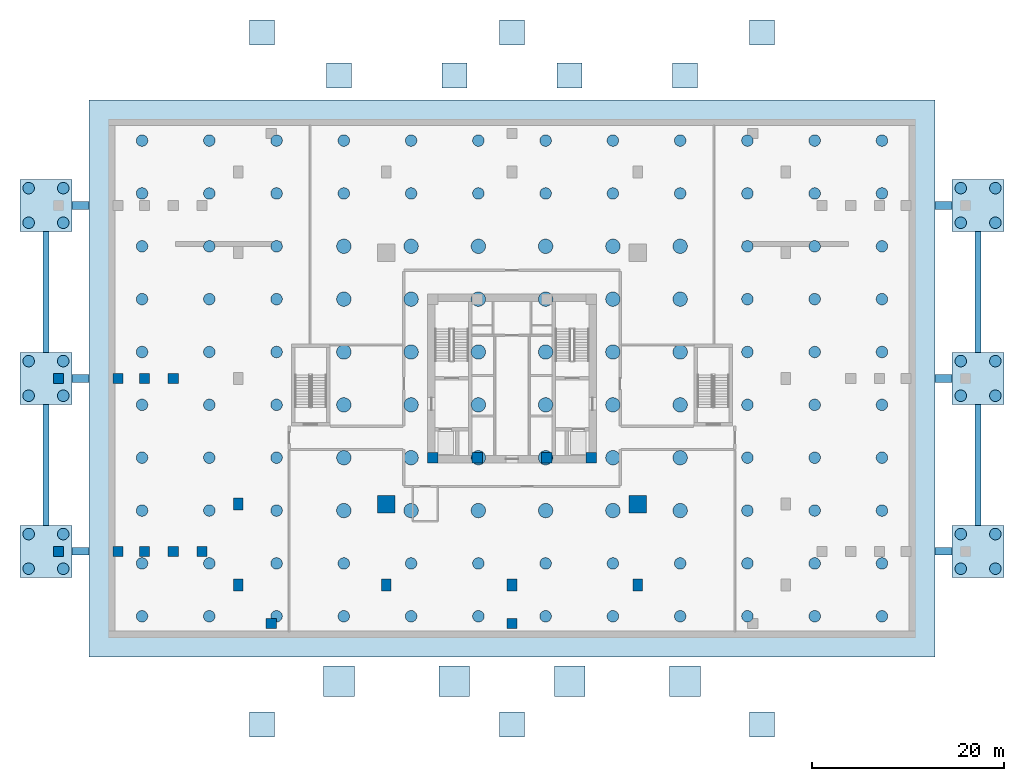
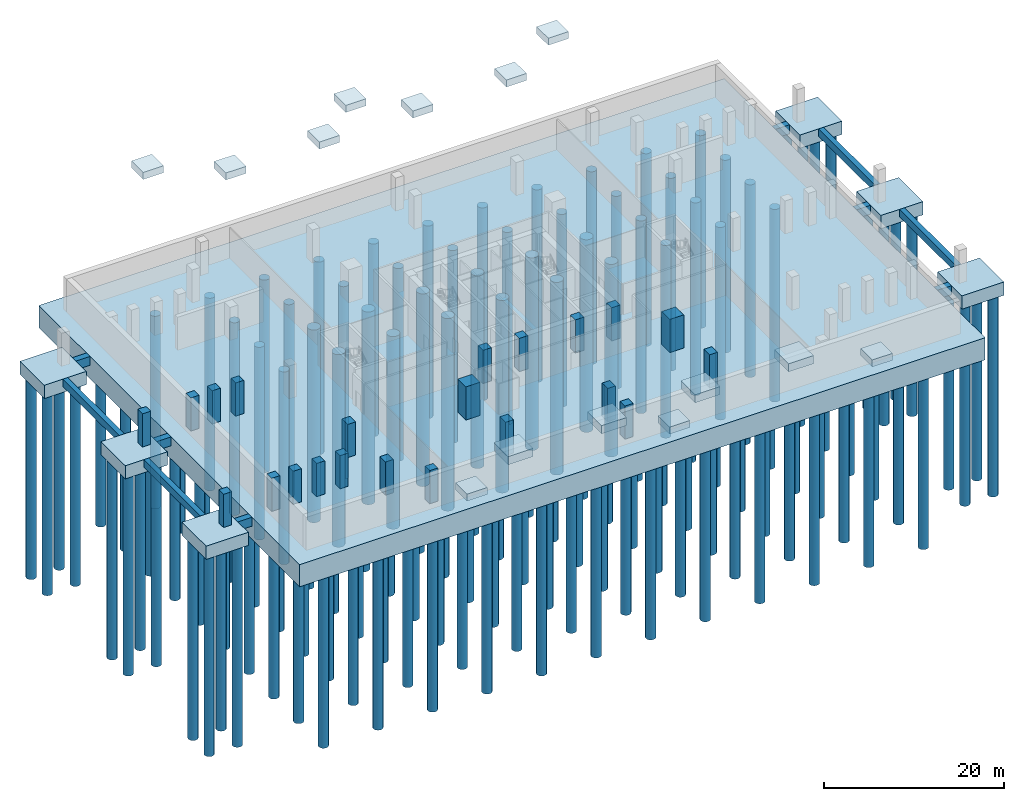
# One storey, part 1 of 8: 144 piles, 31 footings, 22 columns.
"""IFC4 building model written with IfcOpenShell, lengths in metres."""

from ifc_helpers import new_model, si_unit, direction, frame, origin, origin_2d, place, context, subcontext, project, spatial, rectangle, circle, extrude, source, transform, mapped, material, material_profile, profile_set, type_object, element, save


model = new_model("IFC4")

# Units and contexts
model_context = context("Model", 3, precision=1e-05, world=origin(), true_north=direction((0.0, 1.0)))
body_context = subcontext(model_context, "Body", "Model", "MODEL_VIEW")
ifc_project = project(units=[si_unit("LENGTHUNIT", "METRE"), si_unit("AREAUNIT", "SQUARE_METRE"), si_unit("VOLUMEUNIT", "CUBIC_METRE"), si_unit("PLANEANGLEUNIT", "RADIAN"), si_unit("MASSUNIT", "GRAM", prefix="KILO"), si_unit("THERMODYNAMICTEMPERATUREUNIT", "KELVIN")], contexts=[model_context])

# Site, building, storey
site_placement = place(None, origin())
site = spatial("IfcSite", under=ifc_project, at=site_placement, CompositionType="ELEMENT")
building_placement = place(site_placement, origin())
building = spatial("IfcBuilding", under=site, at=building_placement, Name="Kosmvard Interchange Tower", CompositionType="ELEMENT")
storey_placement = place(building_placement, frame((0.0, 0.0, -9.0)))
storey = spatial("IfcBuildingStorey", under=building, at=storey_placement, Name="B02", CompositionType="ELEMENT", Elevation=-9.0)

# Footing
ifc_material_1 = material(Name="Concrete C50/60", Category="concrete")
footing_type_1 = type_object("IfcFootingType", Name="Tower Piled Raft Footing 88000x58000x3000 C50/60", PredefinedType="PILE_CAP", material=ifc_material_1)
shared_shape_1 = source(origin(), body_context, "Body", "SweptSolid", [
    extrude(rectangle(XDim=88.0, YDim=58.0, at=origin_2d()), origin(), (0.0, 0.0, 1.0), 3.0),
])
footing_placement = place(storey_placement, frame((0.0, 0.0, -3.0), z_axis=(0.0, 0.0, 1.0), x_axis=(1.0, 0.0, 0.0)))
element("IfcFooting", 1, at=footing_placement, inside=storey, type_object=footing_type_1, Name="Tower Piled Raft Footing RF-1", PredefinedType="PILE_CAP", context=body_context, shape_type="MappedRepresentation", body=[
    mapped(shared_shape_1, transform((0.0, 0.0, 0.0), scale=1.0)),
])

# Piles
ifc_material_profile_1 = material_profile(ifc_material_1, circle(Radius=0.60009765625, at=origin_2d()), Name="PILE D1200")
ifc_profile_set_1 = profile_set([ifc_material_profile_1], Name="Concrete C50/60")
pile_type_1 = type_object("IfcPileType", Name="Perimeter Bored Pile D1200 C50/60", PredefinedType="BORED", material=ifc_profile_set_1)
shared_shape_2 = source(origin(), body_context, "Body", "SweptSolid", [
    extrude(circle(Radius=0.60009765625, at=origin_2d()), origin(), (0.0, 0.0, 1.0), 26.14990234375),
])
for number, where, z_axis, x_axis, name in (
    (2, (-38.5, -24.75, -2.85009765625), (0.0, 0.0, -1.0), (1.0, 0.0, 0.0), "Bored Foundation Pile 001"),
    (3, (-38.5, -19.25, -2.85009765625), (0.0, 0.0, -1.0), (1.0, 0.0, 0.0), "Bored Foundation Pile 002"),
    (4, (-38.5, -13.75, -2.85009765625), (0.0, 0.0, -1.0), (1.0, 0.0, 0.0), "Bored Foundation Pile 003"),
    (5, (-38.5, -8.25, -2.85009765625), (0.0, 0.0, -1.0), (1.0, 0.0, 0.0), "Bored Foundation Pile 004"),
    (6, (-38.5, -2.75, -2.85009765625), (0.0, 0.0, -1.0), (1.0, 0.0, 0.0), "Bored Foundation Pile 005"),
    (7, (-38.5, 2.75, -2.85009765625), (0.0, 0.0, -1.0), (1.0, 0.0, 0.0), "Bored Foundation Pile 006"),
    (8, (-38.5, 8.25, -2.85009765625), (0.0, 0.0, -1.0), (1.0, 0.0, 0.0), "Bored Foundation Pile 007"),
    (9, (-38.5, 13.75, -2.85009765625), (0.0, 0.0, -1.0), (1.0, 0.0, 0.0), "Bored Foundation Pile 008"),
    (10, (-38.5, 19.25, -2.85009765625), (0.0, 0.0, -1.0), (1.0, 0.0, 0.0), "Bored Foundation Pile 009"),
    (11, (-38.5, 24.75, -2.85009765625), (0.0, 0.0, -1.0), (1.0, 0.0, 0.0), "Bored Foundation Pile 010"),
    (12, (-31.5, -24.75, -2.85009765625), (0.0, 0.0, -1.0), (1.0, 0.0, 0.0), "Bored Foundation Pile 011"),
    (13, (-31.5, -19.25, -2.85009765625), (0.0, 0.0, -1.0), (1.0, 0.0, 0.0), "Bored Foundation Pile 012"),
    (14, (-31.5, -13.75, -2.85009765625), (0.0, 0.0, -1.0), (1.0, 0.0, 0.0), "Bored Foundation Pile 013"),
    (15, (-31.5, -8.25, -2.85009765625), (0.0, 0.0, -1.0), (1.0, 0.0, 0.0), "Bored Foundation Pile 014"),
    (16, (-31.5, -2.75, -2.85009765625), (0.0, 0.0, -1.0), (1.0, 0.0, 0.0), "Bored Foundation Pile 015"),
    (17, (-31.5, 2.75, -2.85009765625), (0.0, 0.0, -1.0), (1.0, 0.0, 0.0), "Bored Foundation Pile 016"),
    (18, (-31.5, 8.25, -2.85009765625), (0.0, 0.0, -1.0), (1.0, 0.0, 0.0), "Bored Foundation Pile 017"),
    (19, (-31.5, 13.75, -2.85009765625), (0.0, 0.0, -1.0), (1.0, 0.0, 0.0), "Bored Foundation Pile 018"),
    (20, (-31.5, 19.25, -2.85009765625), (0.0, 0.0, -1.0), (1.0, 0.0, 0.0), "Bored Foundation Pile 019"),
    (21, (-31.5, 24.75, -2.85009765625), (0.0, 0.0, -1.0), (1.0, 0.0, 0.0), "Bored Foundation Pile 020"),
    (22, (-24.5, -24.75, -2.85009765625), (0.0, 0.0, -1.0), (1.0, 0.0, 0.0), "Bored Foundation Pile 021"),
    (23, (-24.5, -19.25, -2.85009765625), (0.0, 0.0, -1.0), (1.0, 0.0, 0.0), "Bored Foundation Pile 022"),
    (24, (-24.5, -13.75, -2.85009765625), (0.0, 0.0, -1.0), (1.0, 0.0, 0.0), "Bored Foundation Pile 023"),
    (25, (-24.5, -8.25, -2.85009765625), (0.0, 0.0, -1.0), (1.0, 0.0, 0.0), "Bored Foundation Pile 024"),
    (26, (-24.5, -2.75, -2.85009765625), (0.0, 0.0, -1.0), (1.0, 0.0, 0.0), "Bored Foundation Pile 025"),
    (27, (-24.5, 2.75, -2.85009765625), (0.0, 0.0, -1.0), (1.0, 0.0, 0.0), "Bored Foundation Pile 026"),
    (28, (-24.5, 8.25, -2.85009765625), (0.0, 0.0, -1.0), (1.0, 0.0, 0.0), "Bored Foundation Pile 027"),
    (29, (-24.5, 13.75, -2.85009765625), (0.0, 0.0, -1.0), (1.0, 0.0, 0.0), "Bored Foundation Pile 028"),
    (30, (-24.5, 19.25, -2.85009765625), (0.0, 0.0, -1.0), (1.0, 0.0, 0.0), "Bored Foundation Pile 029"),
    (31, (-24.5, 24.75, -2.85009765625), (0.0, 0.0, -1.0), (1.0, 0.0, 0.0), "Bored Foundation Pile 030"),
    (32, (-17.5, -24.75, -2.85009765625), (0.0, 0.0, -1.0), (1.0, 0.0, 0.0), "Bored Foundation Pile 031"),
    (33, (-17.5, -19.25, -2.85009765625), (0.0, 0.0, -1.0), (1.0, 0.0, 0.0), "Bored Foundation Pile 032"),
    (34, (-17.5, 19.25, -2.85009765625), (0.0, 0.0, -1.0), (1.0, 0.0, 0.0), "Bored Foundation Pile 039"),
    (35, (-17.5, 24.75, -2.85009765625), (0.0, 0.0, -1.0), (1.0, 0.0, 0.0), "Bored Foundation Pile 040"),
    (36, (-10.5, -24.75, -2.85009765625), (0.0, 0.0, -1.0), (1.0, 0.0, 0.0), "Bored Foundation Pile 041"),
    (37, (-10.5, -19.25, -2.85009765625), (0.0, 0.0, -1.0), (1.0, 0.0, 0.0), "Bored Foundation Pile 042"),
    (38, (-10.5, 19.25, -2.85009765625), (0.0, 0.0, -1.0), (1.0, 0.0, 0.0), "Bored Foundation Pile 049"),
    (39, (-10.5, 24.75, -2.85009765625), (0.0, 0.0, -1.0), (1.0, 0.0, 0.0), "Bored Foundation Pile 050"),
    (40, (-3.5, -24.75, -2.85009765625), (0.0, 0.0, -1.0), (1.0, 0.0, 0.0), "Bored Foundation Pile 051"),
    (41, (-3.5, -19.25, -2.85009765625), (0.0, 0.0, -1.0), (1.0, 0.0, 0.0), "Bored Foundation Pile 052"),
    (42, (-3.5, 19.25, -2.85009765625), (0.0, 0.0, -1.0), (1.0, 0.0, 0.0), "Bored Foundation Pile 059"),
    (43, (-3.5, 24.75, -2.85009765625), (0.0, 0.0, -1.0), (1.0, 0.0, 0.0), "Bored Foundation Pile 060"),
    (44, (3.5, -24.75, -2.85009765625), (0.0, 0.0, -1.0), (1.0, 0.0, 0.0), "Bored Foundation Pile 061"),
    (45, (3.5, -19.25, -2.85009765625), (0.0, 0.0, -1.0), (1.0, 0.0, 0.0), "Bored Foundation Pile 062"),
    (46, (3.5, 19.25, -2.85009765625), (0.0, 0.0, -1.0), (1.0, 0.0, 0.0), "Bored Foundation Pile 069"),
    (47, (3.5, 24.75, -2.85009765625), (0.0, 0.0, -1.0), (1.0, 0.0, 0.0), "Bored Foundation Pile 070"),
    (48, (10.5, -24.75, -2.85009765625), (0.0, 0.0, -1.0), (1.0, 0.0, 0.0), "Bored Foundation Pile 071"),
    (49, (10.5, -19.25, -2.85009765625), (0.0, 0.0, -1.0), (1.0, 0.0, 0.0), "Bored Foundation Pile 072"),
    (50, (10.5, 19.25, -2.85009765625), (0.0, 0.0, -1.0), (1.0, 0.0, 0.0), "Bored Foundation Pile 079"),
    (51, (10.5, 24.75, -2.85009765625), (0.0, 0.0, -1.0), (1.0, 0.0, 0.0), "Bored Foundation Pile 080"),
    (52, (17.5, -24.75, -2.85009765625), (0.0, 0.0, -1.0), (1.0, 0.0, 0.0), "Bored Foundation Pile 081"),
    (53, (17.5, -19.25, -2.85009765625), (0.0, 0.0, -1.0), (1.0, 0.0, 0.0), "Bored Foundation Pile 082"),
    (54, (17.5, 19.25, -2.85009765625), (0.0, 0.0, -1.0), (1.0, 0.0, 0.0), "Bored Foundation Pile 089"),
    (55, (17.5, 24.75, -2.85009765625), (0.0, 0.0, -1.0), (1.0, 0.0, 0.0), "Bored Foundation Pile 090"),
    (56, (24.5, -24.75, -2.85009765625), (0.0, 0.0, -1.0), (1.0, 0.0, 0.0), "Bored Foundation Pile 091"),
    (57, (24.5, -19.25, -2.85009765625), (0.0, 0.0, -1.0), (1.0, 0.0, 0.0), "Bored Foundation Pile 092"),
    (58, (24.5, -13.75, -2.85009765625), (0.0, 0.0, -1.0), (1.0, 0.0, 0.0), "Bored Foundation Pile 093"),
    (59, (24.5, -8.25, -2.85009765625), (0.0, 0.0, -1.0), (1.0, 0.0, 0.0), "Bored Foundation Pile 094"),
    (60, (24.5, -2.75, -2.85009765625), (0.0, 0.0, -1.0), (1.0, 0.0, 0.0), "Bored Foundation Pile 095"),
    (61, (24.5, 2.75, -2.85009765625), (0.0, 0.0, -1.0), (1.0, 0.0, 0.0), "Bored Foundation Pile 096"),
    (62, (24.5, 8.25, -2.85009765625), (0.0, 0.0, -1.0), (1.0, 0.0, 0.0), "Bored Foundation Pile 097"),
    (63, (24.5, 13.75, -2.85009765625), (0.0, 0.0, -1.0), (1.0, 0.0, 0.0), "Bored Foundation Pile 098"),
    (64, (24.5, 19.25, -2.85009765625), (0.0, 0.0, -1.0), (1.0, 0.0, 0.0), "Bored Foundation Pile 099"),
    (65, (24.5, 24.75, -2.85009765625), (0.0, 0.0, -1.0), (1.0, 0.0, 0.0), "Bored Foundation Pile 100"),
    (66, (31.5, -24.75, -2.85009765625), (0.0, 0.0, -1.0), (1.0, 0.0, 0.0), "Bored Foundation Pile 101"),
    (67, (31.5, -19.25, -2.85009765625), (0.0, 0.0, -1.0), (1.0, 0.0, 0.0), "Bored Foundation Pile 102"),
    (68, (31.5, -13.75, -2.85009765625), (0.0, 0.0, -1.0), (1.0, 0.0, 0.0), "Bored Foundation Pile 103"),
    (69, (31.5, -8.25, -2.85009765625), (0.0, 0.0, -1.0), (1.0, 0.0, 0.0), "Bored Foundation Pile 104"),
    (70, (31.5, -2.75, -2.85009765625), (0.0, 0.0, -1.0), (1.0, 0.0, 0.0), "Bored Foundation Pile 105"),
    (71, (31.5, 2.75, -2.85009765625), (0.0, 0.0, -1.0), (1.0, 0.0, 0.0), "Bored Foundation Pile 106"),
    (72, (31.5, 8.25, -2.85009765625), (0.0, 0.0, -1.0), (1.0, 0.0, 0.0), "Bored Foundation Pile 107"),
    (73, (31.5, 13.75, -2.85009765625), (0.0, 0.0, -1.0), (1.0, 0.0, 0.0), "Bored Foundation Pile 108"),
    (74, (31.5, 19.25, -2.85009765625), (0.0, 0.0, -1.0), (1.0, 0.0, 0.0), "Bored Foundation Pile 109"),
    (75, (31.5, 24.75, -2.85009765625), (0.0, 0.0, -1.0), (1.0, 0.0, 0.0), "Bored Foundation Pile 110"),
    (76, (38.5, -24.75, -2.85009765625), (0.0, 0.0, -1.0), (1.0, 0.0, 0.0), "Bored Foundation Pile 111"),
    (77, (38.5, -19.25, -2.85009765625), (0.0, 0.0, -1.0), (1.0, 0.0, 0.0), "Bored Foundation Pile 112"),
    (78, (38.5, -13.75, -2.85009765625), (0.0, 0.0, -1.0), (1.0, 0.0, 0.0), "Bored Foundation Pile 113"),
    (79, (38.5, -8.25, -2.85009765625), (0.0, 0.0, -1.0), (1.0, 0.0, 0.0), "Bored Foundation Pile 114"),
    (80, (38.5, -2.75, -2.85009765625), (0.0, 0.0, -1.0), (1.0, 0.0, 0.0), "Bored Foundation Pile 115"),
    (81, (38.5, 2.75, -2.85009765625), (0.0, 0.0, -1.0), (1.0, 0.0, 0.0), "Bored Foundation Pile 116"),
    (82, (38.5, 8.25, -2.85009765625), (0.0, 0.0, -1.0), (1.0, 0.0, 0.0), "Bored Foundation Pile 117"),
    (83, (38.5, 13.75, -2.85009765625), (0.0, 0.0, -1.0), (1.0, 0.0, 0.0), "Bored Foundation Pile 118"),
    (84, (38.5, 19.25, -2.85009765625), (0.0, 0.0, -1.0), (1.0, 0.0, 0.0), "Bored Foundation Pile 119"),
    (85, (38.5, 24.75, -2.85009765625), (0.0, 0.0, -1.0), (1.0, 0.0, 0.0), "Bored Foundation Pile 120"),
):
    element("IfcPile", number, at=place(storey_placement, frame(where, z_axis=z_axis, x_axis=x_axis)), inside=storey, type_object=pile_type_1, Name=name, PredefinedType="BORED", context=body_context, shape_type="MappedRepresentation", body=[
        mapped(shared_shape_2, transform((0.0, 0.0, 0.0), scale=1.0)),
    ])
ifc_material_profile_2 = material_profile(ifc_material_1, circle(Radius=0.75, at=origin_2d()), Name="PILE D1500")
ifc_profile_set_2 = profile_set([ifc_material_profile_2], Name="Concrete C50/60")
pile_type_2 = type_object("IfcPileType", Name="Primary Core Bored Pile D1500 C50/60", PredefinedType="BORED", material=ifc_profile_set_2)
shared_shape_3 = source(origin(), body_context, "Body", "SweptSolid", [
    extrude(circle(Radius=0.75, at=origin_2d()), origin(), (0.0, 0.0, 1.0), 26.14990234375),
])
for number, where, z_axis, x_axis, name in (
    (86, (-17.5, -13.75, -2.85009765625), (0.0, 0.0, -1.0), (1.0, 0.0, 0.0), "Bored Foundation Pile 033"),
    (87, (-17.5, -8.25, -2.85009765625), (0.0, 0.0, -1.0), (1.0, 0.0, 0.0), "Bored Foundation Pile 034"),
    (88, (-17.5, -2.75, -2.85009765625), (0.0, 0.0, -1.0), (1.0, 0.0, 0.0), "Bored Foundation Pile 035"),
    (89, (-17.5, 2.75, -2.85009765625), (0.0, 0.0, -1.0), (1.0, 0.0, 0.0), "Bored Foundation Pile 036"),
    (90, (-17.5, 8.25, -2.85009765625), (0.0, 0.0, -1.0), (1.0, 0.0, 0.0), "Bored Foundation Pile 037"),
    (91, (-17.5, 13.75, -2.85009765625), (0.0, 0.0, -1.0), (1.0, 0.0, 0.0), "Bored Foundation Pile 038"),
    (92, (-10.5, -13.75, -2.85009765625), (0.0, 0.0, -1.0), (1.0, 0.0, 0.0), "Bored Foundation Pile 043"),
    (93, (-10.5, -8.25, -2.85009765625), (0.0, 0.0, -1.0), (1.0, 0.0, 0.0), "Bored Foundation Pile 044"),
    (94, (-10.5, -2.75, -2.85009765625), (0.0, 0.0, -1.0), (1.0, 0.0, 0.0), "Bored Foundation Pile 045"),
    (95, (-10.5, 2.75, -2.85009765625), (0.0, 0.0, -1.0), (1.0, 0.0, 0.0), "Bored Foundation Pile 046"),
    (96, (-10.5, 8.25, -2.85009765625), (0.0, 0.0, -1.0), (1.0, 0.0, 0.0), "Bored Foundation Pile 047"),
    (97, (-10.5, 13.75, -2.85009765625), (0.0, 0.0, -1.0), (1.0, 0.0, 0.0), "Bored Foundation Pile 048"),
    (98, (-3.5, -13.75, -2.85009765625), (0.0, 0.0, -1.0), (1.0, 0.0, 0.0), "Bored Foundation Pile 053"),
    (99, (-3.5, -8.25, -2.85009765625), (0.0, 0.0, -1.0), (1.0, 0.0, 0.0), "Bored Foundation Pile 054"),
    (100, (-3.5, -2.75, -2.85009765625), (0.0, 0.0, -1.0), (1.0, 0.0, 0.0), "Bored Foundation Pile 055"),
    (101, (-3.5, 2.75, -2.85009765625), (0.0, 0.0, -1.0), (1.0, 0.0, 0.0), "Bored Foundation Pile 056"),
    (102, (-3.5, 8.25, -2.85009765625), (0.0, 0.0, -1.0), (1.0, 0.0, 0.0), "Bored Foundation Pile 057"),
    (103, (-3.5, 13.75, -2.85009765625), (0.0, 0.0, -1.0), (1.0, 0.0, 0.0), "Bored Foundation Pile 058"),
    (104, (3.5, -13.75, -2.85009765625), (0.0, 0.0, -1.0), (1.0, 0.0, 0.0), "Bored Foundation Pile 063"),
    (105, (3.5, -8.25, -2.85009765625), (0.0, 0.0, -1.0), (1.0, 0.0, 0.0), "Bored Foundation Pile 064"),
    (106, (3.5, -2.75, -2.85009765625), (0.0, 0.0, -1.0), (1.0, 0.0, 0.0), "Bored Foundation Pile 065"),
    (107, (3.5, 2.75, -2.85009765625), (0.0, 0.0, -1.0), (1.0, 0.0, 0.0), "Bored Foundation Pile 066"),
    (108, (3.5, 8.25, -2.85009765625), (0.0, 0.0, -1.0), (1.0, 0.0, 0.0), "Bored Foundation Pile 067"),
    (109, (3.5, 13.75, -2.85009765625), (0.0, 0.0, -1.0), (1.0, 0.0, 0.0), "Bored Foundation Pile 068"),
    (110, (10.5, -13.75, -2.85009765625), (0.0, 0.0, -1.0), (1.0, 0.0, 0.0), "Bored Foundation Pile 073"),
    (111, (10.5, -8.25, -2.85009765625), (0.0, 0.0, -1.0), (1.0, 0.0, 0.0), "Bored Foundation Pile 074"),
    (112, (10.5, -2.75, -2.85009765625), (0.0, 0.0, -1.0), (1.0, 0.0, 0.0), "Bored Foundation Pile 075"),
    (113, (10.5, 2.75, -2.85009765625), (0.0, 0.0, -1.0), (1.0, 0.0, 0.0), "Bored Foundation Pile 076"),
    (114, (10.5, 8.25, -2.85009765625), (0.0, 0.0, -1.0), (1.0, 0.0, 0.0), "Bored Foundation Pile 077"),
    (115, (10.5, 13.75, -2.85009765625), (0.0, 0.0, -1.0), (1.0, 0.0, 0.0), "Bored Foundation Pile 078"),
    (116, (17.5, -13.75, -2.85009765625), (0.0, 0.0, -1.0), (1.0, 0.0, 0.0), "Bored Foundation Pile 083"),
    (117, (17.5, -8.25, -2.85009765625), (0.0, 0.0, -1.0), (1.0, 0.0, 0.0), "Bored Foundation Pile 084"),
    (118, (17.5, -2.75, -2.85009765625), (0.0, 0.0, -1.0), (1.0, 0.0, 0.0), "Bored Foundation Pile 085"),
    (119, (17.5, 2.75, -2.85009765625), (0.0, 0.0, -1.0), (1.0, 0.0, 0.0), "Bored Foundation Pile 086"),
    (120, (17.5, 8.25, -2.85009765625), (0.0, 0.0, -1.0), (1.0, 0.0, 0.0), "Bored Foundation Pile 087"),
    (121, (17.5, 13.75, -2.85009765625), (0.0, 0.0, -1.0), (1.0, 0.0, 0.0), "Bored Foundation Pile 088"),
):
    element("IfcPile", number, at=place(storey_placement, frame(where, z_axis=z_axis, x_axis=x_axis)), inside=storey, type_object=pile_type_2, Name=name, PredefinedType="BORED", context=body_context, shape_type="MappedRepresentation", body=[
        mapped(shared_shape_3, transform((0.0, 0.0, 0.0), scale=1.0)),
    ])

# Footings
footing_type_2 = type_object("IfcFootingType", Name="Plaza Perimeter Pile Cap 5400x5400x1800 C50/60", PredefinedType="PILE_CAP", material=ifc_material_1)
shared_shape_4 = source(origin(), body_context, "Body", "SweptSolid", [
    extrude(rectangle(XDim=5.39990234375, YDim=5.39990234375, at=origin_2d()), origin(), (0.0, 0.0, 1.0), 1.800048828125),
])
for number, where, z_axis, x_axis, name in (
    (122, (-48.5, -18.0, -1.7998046875), (0.0, 0.0, 1.0), (1.0, 0.0, 0.0), "Perimeter Pile Cap PCAP-W1"),
    (123, (-48.5, 0.0, -1.7998046875), (0.0, 0.0, 1.0), (1.0, 0.0, 0.0), "Perimeter Pile Cap PCAP-W2"),
    (124, (-48.5, 18.0, -1.7998046875), (0.0, 0.0, 1.0), (1.0, 0.0, 0.0), "Perimeter Pile Cap PCAP-W3"),
    (125, (48.5, -18.0, -1.7998046875), (0.0, 0.0, 1.0), (1.0, 0.0, 0.0), "Perimeter Pile Cap PCAP-E1"),
    (126, (48.5, 0.0, -1.7998046875), (0.0, 0.0, 1.0), (1.0, 0.0, 0.0), "Perimeter Pile Cap PCAP-E2"),
    (127, (48.5, 18.0, -1.7998046875), (0.0, 0.0, 1.0), (1.0, 0.0, 0.0), "Perimeter Pile Cap PCAP-E3"),
):
    element("IfcFooting", number, at=place(storey_placement, frame(where, z_axis=z_axis, x_axis=x_axis)), inside=storey, type_object=footing_type_2, Name=name, PredefinedType="PILE_CAP", context=body_context, shape_type="MappedRepresentation", body=[
        mapped(shared_shape_4, transform((0.0, 0.0, 0.0), scale=1.0)),
    ])

# Piles
shared_shape_5 = source(origin(), body_context, "Body", "SweptSolid", [
    extrude(circle(Radius=0.60009765625, at=origin_2d()), origin(), (0.0, 0.0, 1.0), 27.35009765625),
])
for number, where, z_axis, x_axis, name in (
    (128, (-50.300048828125, -19.800048828125, -1.64990234375), (0.0, 0.0, -1.0), (1.0, 0.0, 0.0), "Bored Foundation Pile 121"),
    (129, (-50.300048828125, -16.199951171875, -1.64990234375), (0.0, 0.0, -1.0), (1.0, 0.0, 0.0), "Bored Foundation Pile 122"),
    (130, (-46.699951171875, -19.800048828125, -1.64990234375), (0.0, 0.0, -1.0), (1.0, 0.0, 0.0), "Bored Foundation Pile 123"),
    (131, (-46.699951171875, -16.199951171875, -1.64990234375), (0.0, 0.0, -1.0), (1.0, 0.0, 0.0), "Bored Foundation Pile 124"),
    (132, (-50.300048828125, -1.800048828125, -1.64990234375), (0.0, 0.0, -1.0), (1.0, 0.0, 0.0), "Bored Foundation Pile 125"),
    (133, (-50.300048828125, 1.800048828125, -1.64990234375), (0.0, 0.0, -1.0), (1.0, 0.0, 0.0), "Bored Foundation Pile 126"),
    (134, (-46.699951171875, -1.800048828125, -1.64990234375), (0.0, 0.0, -1.0), (1.0, 0.0, 0.0), "Bored Foundation Pile 127"),
    (135, (-46.699951171875, 1.800048828125, -1.64990234375), (0.0, 0.0, -1.0), (1.0, 0.0, 0.0), "Bored Foundation Pile 128"),
    (136, (-50.300048828125, 16.199951171875, -1.64990234375), (0.0, 0.0, -1.0), (1.0, 0.0, 0.0), "Bored Foundation Pile 129"),
    (137, (-50.300048828125, 19.800048828125, -1.64990234375), (0.0, 0.0, -1.0), (1.0, 0.0, 0.0), "Bored Foundation Pile 130"),
    (138, (-46.699951171875, 16.199951171875, -1.64990234375), (0.0, 0.0, -1.0), (1.0, 0.0, 0.0), "Bored Foundation Pile 131"),
    (139, (-46.699951171875, 19.800048828125, -1.64990234375), (0.0, 0.0, -1.0), (1.0, 0.0, 0.0), "Bored Foundation Pile 132"),
    (140, (46.699951171875, -19.800048828125, -1.64990234375), (0.0, 0.0, -1.0), (1.0, 0.0, 0.0), "Bored Foundation Pile 133"),
    (141, (46.699951171875, -16.199951171875, -1.64990234375), (0.0, 0.0, -1.0), (1.0, 0.0, 0.0), "Bored Foundation Pile 134"),
    (142, (50.300048828125, -19.800048828125, -1.64990234375), (0.0, 0.0, -1.0), (1.0, 0.0, 0.0), "Bored Foundation Pile 135"),
    (143, (50.300048828125, -16.199951171875, -1.64990234375), (0.0, 0.0, -1.0), (1.0, 0.0, 0.0), "Bored Foundation Pile 136"),
    (144, (46.699951171875, -1.800048828125, -1.64990234375), (0.0, 0.0, -1.0), (1.0, 0.0, 0.0), "Bored Foundation Pile 137"),
    (145, (46.699951171875, 1.800048828125, -1.64990234375), (0.0, 0.0, -1.0), (1.0, 0.0, 0.0), "Bored Foundation Pile 138"),
    (146, (50.300048828125, -1.800048828125, -1.64990234375), (0.0, 0.0, -1.0), (1.0, 0.0, 0.0), "Bored Foundation Pile 139"),
    (147, (50.300048828125, 1.800048828125, -1.64990234375), (0.0, 0.0, -1.0), (1.0, 0.0, 0.0), "Bored Foundation Pile 140"),
    (148, (46.699951171875, 16.199951171875, -1.64990234375), (0.0, 0.0, -1.0), (1.0, 0.0, 0.0), "Bored Foundation Pile 141"),
    (149, (46.699951171875, 19.800048828125, -1.64990234375), (0.0, 0.0, -1.0), (1.0, 0.0, 0.0), "Bored Foundation Pile 142"),
    (150, (50.300048828125, 16.199951171875, -1.64990234375), (0.0, 0.0, -1.0), (1.0, 0.0, 0.0), "Bored Foundation Pile 143"),
    (151, (50.300048828125, 19.800048828125, -1.64990234375), (0.0, 0.0, -1.0), (1.0, 0.0, 0.0), "Bored Foundation Pile 144"),
):
    element("IfcPile", number, at=place(storey_placement, frame(where, z_axis=z_axis, x_axis=x_axis)), inside=storey, type_object=pile_type_1, Name=name, PredefinedType="BORED", context=body_context, shape_type="MappedRepresentation", body=[
        mapped(shared_shape_5, transform((0.0, 0.0, 0.0), scale=1.0)),
    ])

# Footings
ifc_material_2 = material(Name="Concrete C40/50", Category="concrete")
footing_type_3 = type_object("IfcFootingType", Name="Canopy Pad Footing 3200x3200x1100 C40/50", PredefinedType="PAD_FOOTING", material=ifc_material_2)
shared_shape_6 = source(origin(), body_context, "Body", "SweptSolid", [
    extrude(rectangle(XDim=3.199951171875, YDim=3.199951171875, at=origin_2d()), origin(), (0.0, 0.0, 1.0), 1.10009765625),
])
for number, where, z_axis, x_axis, name in (
    (152, (-18.0, -31.5, 7.5), (0.0, 0.0, 1.0), (1.0, 0.0, 0.0), "Foundation Pad Footing PF-S1"),
    (153, (-6.0, -31.5, 7.5), (0.0, 0.0, 1.0), (1.0, 0.0, 0.0), "Foundation Pad Footing PF-S2"),
    (154, (6.0, -31.5, 7.5), (0.0, 0.0, 1.0), (1.0, 0.0, 0.0), "Foundation Pad Footing PF-S3"),
    (155, (18.0, -31.5, 7.5), (0.0, 0.0, 1.0), (1.0, 0.0, 0.0), "Foundation Pad Footing PF-S4"),
):
    element("IfcFooting", number, at=place(storey_placement, frame(where, z_axis=z_axis, x_axis=x_axis)), inside=storey, type_object=footing_type_3, Name=name, PredefinedType="PAD_FOOTING", context=body_context, shape_type="MappedRepresentation", body=[
        mapped(shared_shape_6, transform((0.0, 0.0, 0.0), scale=1.0)),
    ])
footing_type_4 = type_object("IfcFootingType", Name="Drop-Off Pad Footing 2600x2600x950 C40/50", PredefinedType="PAD_FOOTING", material=ifc_material_2)
shared_shape_7 = source(origin(), body_context, "Body", "SweptSolid", [
    extrude(rectangle(XDim=2.60009765625, YDim=2.60009765625, at=origin_2d()), origin(), (0.0, 0.0, 1.0), 0.949951171875),
])
for number, where, z_axis, x_axis, name in (
    (156, (-18.0, 31.5, 7.64990234375), (0.0, 0.0, 1.0), (1.0, 0.0, 0.0), "Foundation Pad Footing PF-N1"),
    (157, (-6.0, 31.5, 7.64990234375), (0.0, 0.0, 1.0), (1.0, 0.0, 0.0), "Foundation Pad Footing PF-N2"),
    (158, (6.0, 31.5, 7.64990234375), (0.0, 0.0, 1.0), (1.0, 0.0, 0.0), "Foundation Pad Footing PF-N3"),
    (159, (18.0, 31.5, 7.64990234375), (0.0, 0.0, 1.0), (1.0, 0.0, 0.0), "Foundation Pad Footing PF-N4"),
    (160, (-26.0, -36.0, 7.7998046875), (0.0, 0.0, 1.0), (1.0, 0.0, 0.0), "Foundation Pad Footing PF-RS1"),
    (161, (0.0, -36.0, 7.7998046875), (0.0, 0.0, 1.0), (1.0, 0.0, 0.0), "Foundation Pad Footing PF-RS2"),
    (162, (26.0, -36.0, 7.7998046875), (0.0, 0.0, 1.0), (1.0, 0.0, 0.0), "Foundation Pad Footing PF-RS3"),
    (163, (-26.0, 36.0, 7.7998046875), (0.0, 0.0, 1.0), (1.0, 0.0, 0.0), "Foundation Pad Footing PF-RN1"),
    (164, (0.0, 36.0, 7.7998046875), (0.0, 0.0, 1.0), (1.0, 0.0, 0.0), "Foundation Pad Footing PF-RN2"),
    (165, (26.0, 36.0, 7.7998046875), (0.0, 0.0, 1.0), (1.0, 0.0, 0.0), "Foundation Pad Footing PF-RN3"),
):
    element("IfcFooting", number, at=place(storey_placement, frame(where, z_axis=z_axis, x_axis=x_axis)), inside=storey, type_object=footing_type_4, Name=name, PredefinedType="PAD_FOOTING", context=body_context, shape_type="MappedRepresentation", body=[
        mapped(shared_shape_7, transform((0.0, 0.0, 0.0), scale=1.0)),
    ])
ifc_material_profile_3 = material_profile(ifc_material_1, rectangle(XDim=0.800048828125, YDim=1.199951171875, at=origin_2d()), Name="GB 800x1200")
ifc_profile_set_3 = profile_set([ifc_material_profile_3], Name="Concrete C50/60")
footing_type_5 = type_object("IfcFootingType", Name="Foundation Tie Grade Beam 800x1200 C50/60", PredefinedType="FOOTING_BEAM", material=ifc_profile_set_3)
shared_shape_8 = source(origin(), body_context, "Body", "SweptSolid", [
    extrude(rectangle(XDim=1.800048828125, YDim=0.800048828125, at=origin_2d()), origin(), (0.0, 0.0, 1.0), 1.199951171875),
])
for number, where, z_axis, x_axis, name in (
    (166, (-44.89990234375, -18.0, -1.2001953125), (0.0, 0.0, 1.0), (1.0, 0.0, 0.0), "Tie Grade Beam GB-W1"),
    (167, (-44.89990234375, 0.0, -1.2001953125), (0.0, 0.0, 1.0), (1.0, 0.0, 0.0), "Tie Grade Beam GB-W2"),
    (168, (-44.89990234375, 18.0, -1.2001953125), (0.0, 0.0, 1.0), (1.0, 0.0, 0.0), "Tie Grade Beam GB-W3"),
    (169, (44.89990234375, -18.0, -1.2001953125), (0.0, 0.0, 1.0), (1.0, 0.0, 0.0), "Tie Grade Beam GB-E1"),
    (170, (44.89990234375, 0.0, -1.2001953125), (0.0, 0.0, 1.0), (1.0, 0.0, 0.0), "Tie Grade Beam GB-E2"),
    (171, (44.89990234375, 18.0, -1.2001953125), (0.0, 0.0, 1.0), (1.0, 0.0, 0.0), "Tie Grade Beam GB-E3"),
):
    element("IfcFooting", number, at=place(storey_placement, frame(where, z_axis=z_axis, x_axis=x_axis)), inside=storey, type_object=footing_type_5, Name=name, PredefinedType="FOOTING_BEAM", context=body_context, shape_type="MappedRepresentation", body=[
        mapped(shared_shape_8, transform((0.0, 0.0, 0.0), scale=1.0)),
    ])
ifc_material_profile_4 = material_profile(ifc_material_1, rectangle(XDim=0.64990234375, YDim=1.0, at=origin_2d()), Name="GB 650x1000")
ifc_profile_set_4 = profile_set([ifc_material_profile_4], Name="Concrete C50/60")
footing_type_6 = type_object("IfcFootingType", Name="Perimeter Tie Grade Beam 650x1000 C50/60", PredefinedType="FOOTING_BEAM", material=ifc_profile_set_4)
shared_shape_9 = source(origin(), body_context, "Body", "SweptSolid", [
    extrude(rectangle(XDim=0.64990234375, YDim=12.60009765625, at=origin_2d()), origin(), (0.0, 0.0, 1.0), 1.0),
])
for number, where, z_axis, x_axis, name in (
    (172, (-48.5, -9.0, -1.0), (0.0, 0.0, 1.0), (1.0, 0.0, 0.0), "Tie Grade Beam GB-WL1"),
    (173, (-48.5, 9.0, -1.0), (0.0, 0.0, 1.0), (1.0, 0.0, 0.0), "Tie Grade Beam GB-WL2"),
    (174, (48.5, -9.0, -1.0), (0.0, 0.0, 1.0), (1.0, 0.0, 0.0), "Tie Grade Beam GB-EL1"),
    (175, (48.5, 9.0, -1.0), (0.0, 0.0, 1.0), (1.0, 0.0, 0.0), "Tie Grade Beam GB-EL2"),
):
    element("IfcFooting", number, at=place(storey_placement, frame(where, z_axis=z_axis, x_axis=x_axis)), inside=storey, type_object=footing_type_6, Name=name, PredefinedType="FOOTING_BEAM", context=body_context, shape_type="MappedRepresentation", body=[
        mapped(shared_shape_9, transform((0.0, 0.0, 0.0), scale=1.0)),
    ])

# Columns
ifc_material_3 = material(Name="Concrete C60/75", Category="concrete")
ifc_material_profile_5 = material_profile(ifc_material_3, rectangle(XDim=1.050048828125, YDim=1.050048828125, at=origin_2d()), Name="PC 1050x1050")
ifc_profile_set_5 = profile_set([ifc_material_profile_5], Name="Concrete C60/75")
column_type_1 = type_object("IfcColumnType", Name="Podium Perimeter Column 1050x1050 C60/75", PredefinedType="COLUMN", material=ifc_profile_set_5)
shared_shape_10 = source(origin(), body_context, "Body", "SweptSolid", [
    extrude(rectangle(XDim=1.050048828125, YDim=1.050048828125, at=origin_2d()), origin(), (0.0, 0.0, 1.0), 4.5),
])
for number, where, z_axis, x_axis, name in (
    (176, (-47.199951171875, -18.0, 0.0), (0.0, 0.0, 1.0), (1.0, 0.0, 0.0), "B02 Plaza Foundation Pier PC-PW1"),
    (177, (-47.199951171875, 0.0, 0.0), (0.0, 0.0, 1.0), (1.0, 0.0, 0.0), "B02 Plaza Foundation Pier PC-PW2"),
    (178, (-25.050048828125, -25.5, 0.0), (0.0, 0.0, 1.0), (1.0, 0.0, 0.0), "B02 Podium Column PC-TS1"),
    (179, (0.0, -25.5, 0.0), (0.0, 0.0, 1.0), (1.0, 0.0, 0.0), "B02 Podium Column PC-TS2"),
    (180, (-32.25, -18.0, 0.0), (0.0, 0.0, 1.0), (1.0, 0.0, 0.0), "B02 Podium Column PC-TW3"),
    (181, (-35.25, -18.0, 0.0), (0.0, 0.0, 1.0), (1.0, 0.0, 0.0), "B02 Podium Column PC-TW2"),
    (182, (-35.25, 0.0, 0.0), (0.0, 0.0, 1.0), (1.0, 0.0, 0.0), "B02 Podium Column PC-TW5"),
    (183, (-38.25, -18.0, 0.0), (0.0, 0.0, 1.0), (1.0, 0.0, 0.0), "B02 Podium Column PC-TW1"),
    (184, (-38.25, 0.0, 0.0), (0.0, 0.0, 1.0), (1.0, 0.0, 0.0), "B02 Podium Column PC-TW7"),
    (185, (-41.0, -18.0, 0.0), (0.0, 0.0, 1.0), (1.0, 0.0, 0.0), "B02 Podium Column PC-BW1"),
    (186, (-41.0, 0.0, 0.0), (0.0, 0.0, 1.0), (1.0, 0.0, 0.0), "B02 Podium Column PC-BW2"),
):
    element("IfcColumn", number, at=place(storey_placement, frame(where, z_axis=z_axis, x_axis=x_axis)), inside=storey, type_object=column_type_1, Name=name, PredefinedType="COLUMN", context=body_context, shape_type="MappedRepresentation", body=[
        mapped(shared_shape_10, transform((0.0, 0.0, 0.0), scale=1.0)),
    ])
ifc_material_4 = material(Name="Concrete C80/95", Category="concrete")
ifc_material_profile_6 = material_profile(ifc_material_4, rectangle(XDim=1.10009765625, YDim=1.10009765625, at=origin_2d()), Name="CP 1100x1100")
ifc_profile_set_6 = profile_set([ifc_material_profile_6], Name="Concrete C80/95")
column_type_2 = type_object("IfcColumnType", Name="Core Boundary Pilaster 1100x1100 C80/95", PredefinedType="PILASTER", material=ifc_profile_set_6)
shared_shape_11 = source(origin(), body_context, "Body", "SweptSolid", [
    extrude(rectangle(XDim=1.10009765625, YDim=1.10009765625, at=origin_2d()), origin(), (0.0, 0.0, 1.0), 4.5),
])
for number, where, z_axis, x_axis, name in (
    (187, (-8.25, -8.25, 0.0), (0.0, 0.0, 1.0), (1.0, 0.0, 0.0), "B02 Core Pilaster CP1"),
    (188, (8.25, -8.25, 0.0), (0.0, 0.0, 1.0), (1.0, 0.0, 0.0), "B02 Core Pilaster CP2"),
    (189, (-3.60009765625, -8.25, 0.0), (0.0, 0.0, 1.0), (1.0, 0.0, 0.0), "B02 Core Pilaster CP5"),
    (190, (3.60009765625, -8.25, 0.0), (0.0, 0.0, 1.0), (1.0, 0.0, 0.0), "B02 Core Pilaster CP6"),
):
    element("IfcColumn", number, at=place(storey_placement, frame(where, z_axis=z_axis, x_axis=x_axis)), inside=storey, type_object=column_type_2, Name=name, PredefinedType="PILASTER", context=body_context, shape_type="MappedRepresentation", body=[
        mapped(shared_shape_11, transform((0.0, 0.0, 0.0), scale=1.0)),
    ])
ifc_material_profile_7 = material_profile(ifc_material_4, rectangle(XDim=1.800048828125, YDim=1.800048828125, at=origin_2d()), Name="MC 1800x1800")
ifc_profile_set_7 = profile_set([ifc_material_profile_7], Name="Concrete C80/95")
column_type_3 = type_object("IfcColumnType", Name="Composite Mega-Column 1800x1800 C80/95", PredefinedType="COLUMN", material=ifc_profile_set_7)
shared_shape_12 = source(origin(), body_context, "Body", "SweptSolid", [
    extrude(rectangle(XDim=1.800048828125, YDim=1.800048828125, at=origin_2d()), origin(), (0.0, 0.0, 1.0), 4.5),
])
for number, where, z_axis, x_axis, name in (
    (191, (-13.0810546875, -13.0810546875, 0.0), (0.0, 0.0, 1.0), (1.0, 0.0, 0.0), "B02 Corner Mega-Column MC1"),
    (192, (13.0810546875, -13.0810546875, 0.0), (0.0, 0.0, 1.0), (1.0, 0.0, 0.0), "B02 Corner Mega-Column MC2"),
):
    element("IfcColumn", number, at=place(storey_placement, frame(where, z_axis=z_axis, x_axis=x_axis)), inside=storey, type_object=column_type_3, Name=name, PredefinedType="COLUMN", context=body_context, shape_type="MappedRepresentation", body=[
        mapped(shared_shape_12, transform((0.0, 0.0, 0.0), scale=1.0)),
    ])
ifc_material_profile_8 = material_profile(ifc_material_3, rectangle(XDim=1.0, YDim=1.25, at=origin_2d()), Name="PC 1250x1000")
ifc_profile_set_8 = profile_set([ifc_material_profile_8], Name="Concrete C60/75")
column_type_4 = type_object("IfcColumnType", Name="Podium Concourse Column 1250x1000 C60/75", PredefinedType="COLUMN", material=ifc_profile_set_8)
shared_shape_13 = source(origin(), body_context, "Body", "SweptSolid", [
    extrude(rectangle(XDim=1.0, YDim=1.25, at=origin_2d()), origin(), (0.0, 0.0, 1.0), 4.5),
])
for number, where, z_axis, x_axis, name in (
    (193, (-28.5, -21.5, 0.0), (0.0, 0.0, 1.0), (1.0, 0.0, 0.0), "B02 Podium Column PC-S1"),
    (194, (-13.0810546875, -21.5, 0.0), (0.0, 0.0, 1.0), (1.0, 0.0, 0.0), "B02 Podium Column PC-S2"),
    (195, (0.0, -21.5, 0.0), (0.0, 0.0, 1.0), (1.0, 0.0, 0.0), "B02 Podium Column PC-S3"),
    (196, (13.0810546875, -21.5, 0.0), (0.0, 0.0, 1.0), (1.0, 0.0, 0.0), "B02 Podium Column PC-S4"),
    (197, (-28.5, -13.0810546875, 0.0), (0.0, 0.0, 1.0), (1.0, 0.0, 0.0), "B02 Podium Column PC-W1"),
):
    element("IfcColumn", number, at=place(storey_placement, frame(where, z_axis=z_axis, x_axis=x_axis)), inside=storey, type_object=column_type_4, Name=name, PredefinedType="COLUMN", context=body_context, shape_type="MappedRepresentation", body=[
        mapped(shared_shape_13, transform((0.0, 0.0, 0.0), scale=1.0)),
    ])

save(model, "model.ifc")
